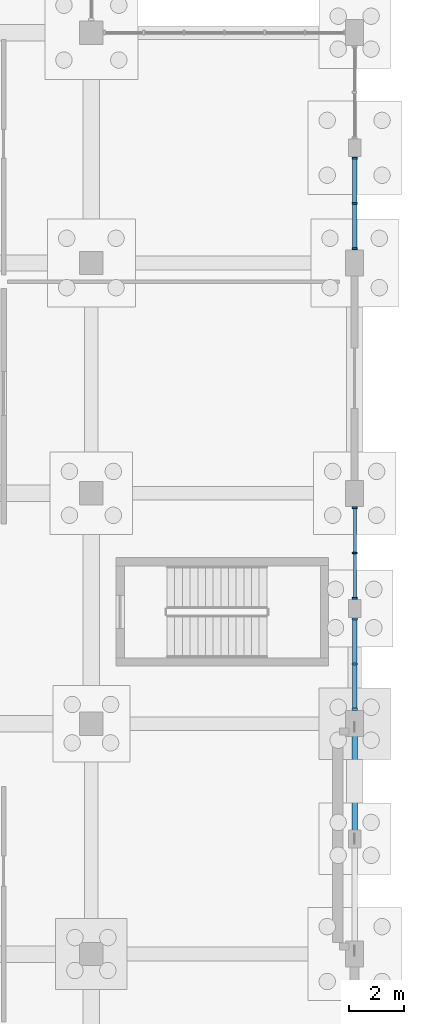
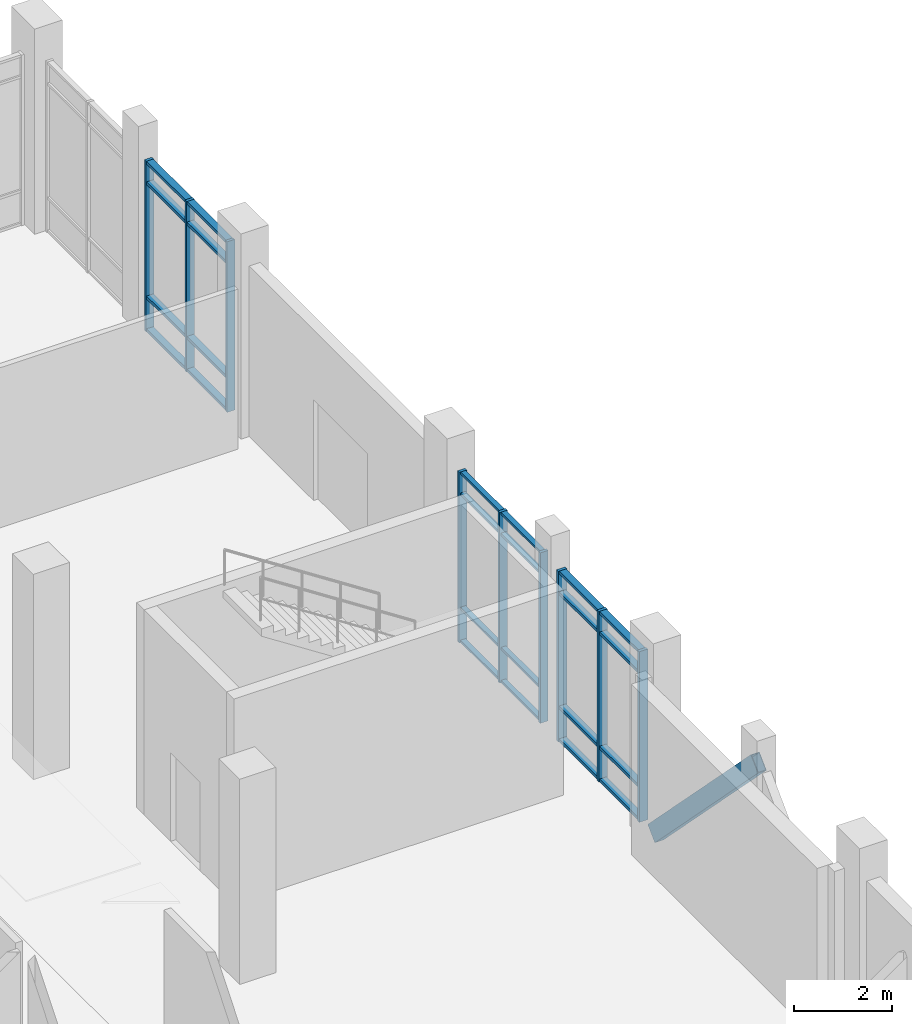
# One storey, part 58 of 136: 34 members, 3 elements without a shape of their own.
"""IFC4 building model written with IfcOpenShell, lengths in metres."""

from ifc_helpers import new_model, si_unit, direction, frame, origin, origin_2d, place, context, subcontext, project, spatial, rectangle, hollow_rectangle, extrude, material, material_profile, profile_set, type_object, element, aggregate, save


model = new_model("IFC4")

# Units and contexts
model_context = context("Model", 3, precision=1e-05, world=origin(), true_north=direction((0.0, 1.0)))
body_context = subcontext(model_context, "Body", "Model", "MODEL_VIEW")
ifc_project = project(units=[si_unit("LENGTHUNIT", "METRE"), si_unit("AREAUNIT", "SQUARE_METRE"), si_unit("VOLUMEUNIT", "CUBIC_METRE"), si_unit("PLANEANGLEUNIT", "RADIAN"), si_unit("MASSUNIT", "GRAM", prefix="KILO")], contexts=[model_context])

# Site, building, storey
site_placement = place(None, origin())
site = spatial("IfcSite", under=ifc_project, at=site_placement, CompositionType="ELEMENT")
building_placement = place(site_placement, origin())
building = spatial("IfcBuilding", under=site, at=building_placement, Name="Oolite Switchyard Hospital", CompositionType="ELEMENT")
storey_placement = place(building_placement, origin())
storey = spatial("IfcBuildingStorey", under=building, at=storey_placement, Name="L00", CompositionType="ELEMENT", Elevation=0.0)

# Curtain wall, members
ifc_material_1 = material(Name="Thermally broken aluminum frame with laminated impact glazing", Category="aluminium")
curtain_wall_type = type_object("IfcCurtainWallType", Name="CW-UNIT-84X51", PredefinedType="USERDEFINED", material=ifc_material_1)
curtain_wall_1_placement = place(storey_placement, origin())
curtain_wall_1 = element("IfcCurtainWall", 1, at=curtain_wall_1_placement, inside=storey, type_object=curtain_wall_type, Name="L00 Unitised Curtain Wall 88", ObjectType="UNITISED", PredefinedType="USERDEFINED")
ifc_material_2 = material(Name="Aluminium 6063-T6", Category="aluminium")
ifc_material_profile_1 = material_profile(ifc_material_2, rectangle(XDim=0.179931640625, YDim=0.070068359375, at=origin_2d()), Name="CWM70X180")
ifc_profile_set_1 = profile_set([ifc_material_profile_1], Name="Aluminium 6063-T6")
member_type_1 = type_object("IfcMemberType", Name="CW-MUL-220", PredefinedType="MULLION", material=ifc_profile_set_1)
member_1_placement = place(storey_placement, frame((211.199951171875, 49.875, 0.0), z_axis=(0.0, 0.0, 1.0), x_axis=(1.0, 0.0, 0.0)))
member_1 = element("IfcMember", 2, at=member_1_placement, type_object=member_type_1, Name="CW-06 mullion 1", PredefinedType="MULLION", context=body_context, shape_type="SweptSolid", body=[
    extrude(rectangle(XDim=0.179931640625, YDim=0.070068359375, at=origin_2d()), origin(), (0.0, 0.0, 1.0), 4.239990234375),
])
member_2_placement = place(storey_placement, frame((211.199951171875, 48.22509765625, 0.0), z_axis=(0.0, 0.0, 1.0), x_axis=(1.0, 0.0, 0.0)))
member_2 = element("IfcMember", 3, at=member_2_placement, type_object=member_type_1, Name="CW-06 mullion 2", PredefinedType="MULLION", context=body_context, shape_type="SweptSolid", body=[
    extrude(rectangle(XDim=0.179931640625, YDim=0.070068359375, at=origin_2d()), origin(), (0.0, 0.0, 1.0), 4.239990234375),
])
member_3_placement = place(storey_placement, frame((211.199951171875, 46.574951171875, 0.0), z_axis=(0.0, 0.0, 1.0), x_axis=(1.0, 0.0, 0.0)))
member_3 = element("IfcMember", 4, at=member_3_placement, type_object=member_type_1, Name="CW-06 mullion 3", PredefinedType="MULLION", context=body_context, shape_type="SweptSolid", body=[
    extrude(rectangle(XDim=0.179931640625, YDim=0.070068359375, at=origin_2d()), origin(), (0.0, 0.0, 1.0), 4.239990234375),
])

curtain_wall_2_placement = place(storey_placement, origin())
curtain_wall_2 = element("IfcCurtainWall", 5, at=curtain_wall_2_placement, inside=storey, type_object=curtain_wall_type, Name="L00 Unitised Curtain Wall 91", ObjectType="UNITISED", PredefinedType="USERDEFINED")
member_4_placement = place(storey_placement, frame((211.199951171875, 62.625, 0.0), z_axis=(0.0, 0.0, 1.0), x_axis=(1.0, 0.0, 0.0)))
member_4 = element("IfcMember", 6, at=member_4_placement, type_object=member_type_1, Name="CW-06 mullion 1", PredefinedType="MULLION", context=body_context, shape_type="SweptSolid", body=[
    extrude(rectangle(XDim=0.179931640625, YDim=0.070068359375, at=origin_2d()), origin(), (0.0, 0.0, 1.0), 4.239990234375),
])
member_5_placement = place(storey_placement, frame((211.199951171875, 60.97509765625, 0.0), z_axis=(0.0, 0.0, 1.0), x_axis=(1.0, 0.0, 0.0)))
member_5 = element("IfcMember", 7, at=member_5_placement, type_object=member_type_1, Name="CW-06 mullion 2", PredefinedType="MULLION", context=body_context, shape_type="SweptSolid", body=[
    extrude(rectangle(XDim=0.179931640625, YDim=0.070068359375, at=origin_2d()), origin(), (0.0, 0.0, 1.0), 4.239990234375),
])
member_6_placement = place(storey_placement, frame((211.199951171875, 59.324951171875, 0.0), z_axis=(0.0, 0.0, 1.0), x_axis=(1.0, 0.0, 0.0)))
member_6 = element("IfcMember", 8, at=member_6_placement, type_object=member_type_1, Name="CW-06 mullion 3", PredefinedType="MULLION", context=body_context, shape_type="SweptSolid", body=[
    extrude(rectangle(XDim=0.179931640625, YDim=0.070068359375, at=origin_2d()), origin(), (0.0, 0.0, 1.0), 4.239990234375),
])

curtain_wall_3_placement = place(storey_placement, origin())
curtain_wall_3 = element("IfcCurtainWall", 9, at=curtain_wall_3_placement, inside=storey, type_object=curtain_wall_type, Name="L00 Unitised Curtain Wall 89", ObjectType="UNITISED", PredefinedType="USERDEFINED")
ifc_material_profile_2 = material_profile(ifc_material_2, rectangle(XDim=0.199951171875, YDim=0.074951171875, at=origin_2d()), Name="CWM75X200")
ifc_profile_set_2 = profile_set([ifc_material_profile_2], Name="Aluminium 6063-T6")
member_type_2 = type_object("IfcMemberType", Name="CW-MUL-260", PredefinedType="MULLION", material=ifc_profile_set_2)
member_7_placement = place(storey_placement, frame((211.199951171875, 45.822509765625, 0.0), z_axis=(0.0, 0.0, 1.0), x_axis=(1.0, 0.0, 0.0)))
member_7 = element("IfcMember", 10, at=member_7_placement, type_object=member_type_2, Name="CW-06 mullion 1", PredefinedType="MULLION", context=body_context, shape_type="SweptSolid", body=[
    extrude(rectangle(XDim=0.199951171875, YDim=0.074951171875, at=origin_2d()), origin(), (0.0, 0.0, 1.0), 4.239990234375),
])
member_8_placement = place(storey_placement, frame((211.199951171875, 44.175048828125, 0.0), z_axis=(0.0, 0.0, 1.0), x_axis=(1.0, 0.0, 0.0)))
member_8 = element("IfcMember", 11, at=member_8_placement, type_object=member_type_2, Name="CW-06 mullion 2", PredefinedType="MULLION", context=body_context, shape_type="SweptSolid", body=[
    extrude(rectangle(XDim=0.199951171875, YDim=0.074951171875, at=origin_2d()), origin(), (0.0, 0.0, 1.0), 4.239990234375),
])
member_9_placement = place(storey_placement, frame((211.199951171875, 42.527587890625, 0.0), z_axis=(0.0, 0.0, 1.0), x_axis=(1.0, 0.0, 0.0)))
member_9 = element("IfcMember", 12, at=member_9_placement, type_object=member_type_2, Name="CW-06 mullion 3", PredefinedType="MULLION", context=body_context, shape_type="SweptSolid", body=[
    extrude(rectangle(XDim=0.199951171875, YDim=0.074951171875, at=origin_2d()), origin(), (0.0, 0.0, 1.0), 4.239990234375),
])

# Member
ifc_material_profile_3 = material_profile(ifc_material_2, rectangle(XDim=0.1201171875, YDim=0.06005859375, at=origin_2d()), Name="CWT60X120")
ifc_profile_set_3 = profile_set([ifc_material_profile_3], Name="Aluminium 6063-T6")
member_type_3 = type_object("IfcMemberType", Name="CW-TRN-150", PredefinedType="USERDEFINED", material=ifc_profile_set_3)
member_10_placement = place(storey_placement, frame((211.199951171875, 49.840087890625, 0.030029296875), z_axis=(0.0, -1.0, 0.0), x_axis=(1.0, 0.0, 0.0)))
member_10 = element("IfcMember", 13, at=member_10_placement, type_object=member_type_3, Name="CW-06 transom 1.1", ObjectType="TRANSOM", PredefinedType="USERDEFINED", context=body_context, shape_type="SweptSolid", body=[
    extrude(rectangle(XDim=0.1201171875, YDim=0.06005859375, at=origin_2d()), origin(), (0.0, 0.0, 1.0), 1.580078125),
])

member_11_placement = place(storey_placement, frame((211.199951171875, 49.840087890625, 0.85009765625), z_axis=(0.0, -1.0, 0.0), x_axis=(1.0, 0.0, 0.0)))
member_11 = element("IfcMember", 14, at=member_11_placement, type_object=member_type_3, Name="CW-06 transom 1.2", ObjectType="TRANSOM", PredefinedType="USERDEFINED", context=body_context, shape_type="SweptSolid", body=[
    extrude(rectangle(XDim=0.1201171875, YDim=0.06005859375, at=origin_2d()), origin(), (0.0, 0.0, 1.0), 1.580078125),
])

member_12_placement = place(storey_placement, frame((211.199951171875, 49.840087890625, 3.68994140625), z_axis=(0.0, -1.0, 0.0), x_axis=(1.0, 0.0, 0.0)))
member_12 = element("IfcMember", 15, at=member_12_placement, type_object=member_type_3, Name="CW-06 transom 1.3", ObjectType="TRANSOM", PredefinedType="USERDEFINED", context=body_context, shape_type="SweptSolid", body=[
    extrude(rectangle(XDim=0.1201171875, YDim=0.06005859375, at=origin_2d()), origin(), (0.0, 0.0, 1.0), 1.580078125),
])

member_13_placement = place(storey_placement, frame((211.199951171875, 49.840087890625, 4.2099609375), z_axis=(0.0, -1.0, 0.0), x_axis=(1.0, 0.0, 0.0)))
member_13 = element("IfcMember", 16, at=member_13_placement, type_object=member_type_3, Name="CW-06 transom 1.4", ObjectType="TRANSOM", PredefinedType="USERDEFINED", context=body_context, shape_type="SweptSolid", body=[
    extrude(rectangle(XDim=0.1201171875, YDim=0.06005859375, at=origin_2d()), origin(), (0.0, 0.0, 1.0), 1.580078125),
])

member_14_placement = place(storey_placement, frame((211.199951171875, 48.18994140625, 0.030029296875), z_axis=(0.0, -1.0, 0.0), x_axis=(1.0, 0.0, 0.0)))
member_14 = element("IfcMember", 17, at=member_14_placement, type_object=member_type_3, Name="CW-06 transom 2.1", ObjectType="TRANSOM", PredefinedType="USERDEFINED", context=body_context, shape_type="SweptSolid", body=[
    extrude(rectangle(XDim=0.1201171875, YDim=0.06005859375, at=origin_2d()), origin(), (0.0, 0.0, 1.0), 1.579833984375),
])

member_15_placement = place(storey_placement, frame((211.199951171875, 48.18994140625, 0.85009765625), z_axis=(0.0, -1.0, 0.0), x_axis=(1.0, 0.0, 0.0)))
member_15 = element("IfcMember", 18, at=member_15_placement, type_object=member_type_3, Name="CW-06 transom 2.2", ObjectType="TRANSOM", PredefinedType="USERDEFINED", context=body_context, shape_type="SweptSolid", body=[
    extrude(rectangle(XDim=0.1201171875, YDim=0.06005859375, at=origin_2d()), origin(), (0.0, 0.0, 1.0), 1.579833984375),
])

member_16_placement = place(storey_placement, frame((211.199951171875, 48.18994140625, 3.68994140625), z_axis=(0.0, -1.0, 0.0), x_axis=(1.0, 0.0, 0.0)))
member_16 = element("IfcMember", 19, at=member_16_placement, type_object=member_type_3, Name="CW-06 transom 2.3", ObjectType="TRANSOM", PredefinedType="USERDEFINED", context=body_context, shape_type="SweptSolid", body=[
    extrude(rectangle(XDim=0.1201171875, YDim=0.06005859375, at=origin_2d()), origin(), (0.0, 0.0, 1.0), 1.579833984375),
])

member_17_placement = place(storey_placement, frame((211.199951171875, 48.18994140625, 4.2099609375), z_axis=(0.0, -1.0, 0.0), x_axis=(1.0, 0.0, 0.0)))
member_17 = element("IfcMember", 20, at=member_17_placement, type_object=member_type_3, Name="CW-06 transom 2.4", ObjectType="TRANSOM", PredefinedType="USERDEFINED", context=body_context, shape_type="SweptSolid", body=[
    extrude(rectangle(XDim=0.1201171875, YDim=0.06005859375, at=origin_2d()), origin(), (0.0, 0.0, 1.0), 1.579833984375),
])

aggregate(curtain_wall_1, [member_1, member_2, member_3, member_10, member_11, member_12, member_13, member_14, member_15, member_16, member_17])

ifc_material_profile_4 = material_profile(ifc_material_2, rectangle(XDim=0.159912109375, YDim=0.074951171875, at=origin_2d()), Name="CWT75X160")
ifc_profile_set_4 = profile_set([ifc_material_profile_4], Name="Aluminium 6063-T6")
member_type_4 = type_object("IfcMemberType", Name="CW-TRN-180", PredefinedType="USERDEFINED", material=ifc_profile_set_4)
member_18_placement = place(storey_placement, frame((211.199951171875, 45.784912109375, 0.03759765625), z_axis=(0.0, -1.0, 0.0), x_axis=(1.0, 0.0, 0.0)))
member_18 = element("IfcMember", 21, at=member_18_placement, type_object=member_type_4, Name="CW-06 transom 1.1", ObjectType="TRANSOM", PredefinedType="USERDEFINED", context=body_context, shape_type="SweptSolid", body=[
    extrude(rectangle(XDim=0.159912109375, YDim=0.074951171875, at=origin_2d()), origin(), (0.0, 0.0, 1.0), 1.572509765625),
])

member_19_placement = place(storey_placement, frame((211.199951171875, 45.784912109375, 0.85009765625), z_axis=(0.0, -1.0, 0.0), x_axis=(1.0, 0.0, 0.0)))
member_19 = element("IfcMember", 22, at=member_19_placement, type_object=member_type_4, Name="CW-06 transom 1.2", ObjectType="TRANSOM", PredefinedType="USERDEFINED", context=body_context, shape_type="SweptSolid", body=[
    extrude(rectangle(XDim=0.159912109375, YDim=0.074951171875, at=origin_2d()), origin(), (0.0, 0.0, 1.0), 1.572509765625),
])

member_20_placement = place(storey_placement, frame((211.199951171875, 45.784912109375, 3.68994140625), z_axis=(0.0, -1.0, 0.0), x_axis=(1.0, 0.0, 0.0)))
member_20 = element("IfcMember", 23, at=member_20_placement, type_object=member_type_4, Name="CW-06 transom 1.3", ObjectType="TRANSOM", PredefinedType="USERDEFINED", context=body_context, shape_type="SweptSolid", body=[
    extrude(rectangle(XDim=0.159912109375, YDim=0.074951171875, at=origin_2d()), origin(), (0.0, 0.0, 1.0), 1.572509765625),
])

member_21_placement = place(storey_placement, frame((211.199951171875, 45.784912109375, 4.202392578125), z_axis=(0.0, -1.0, 0.0), x_axis=(1.0, 0.0, 0.0)))
member_21 = element("IfcMember", 24, at=member_21_placement, type_object=member_type_4, Name="CW-06 transom 1.4", ObjectType="TRANSOM", PredefinedType="USERDEFINED", context=body_context, shape_type="SweptSolid", body=[
    extrude(rectangle(XDim=0.159912109375, YDim=0.074951171875, at=origin_2d()), origin(), (0.0, 0.0, 1.0), 1.572509765625),
])

member_22_placement = place(storey_placement, frame((211.199951171875, 44.137451171875, 0.03759765625), z_axis=(0.0, -1.0, 0.0), x_axis=(1.0, 0.0, 0.0)))
member_22 = element("IfcMember", 25, at=member_22_placement, type_object=member_type_4, Name="CW-06 transom 2.1", ObjectType="TRANSOM", PredefinedType="USERDEFINED", context=body_context, shape_type="SweptSolid", body=[
    extrude(rectangle(XDim=0.159912109375, YDim=0.074951171875, at=origin_2d()), origin(), (0.0, 0.0, 1.0), 1.572509765625),
])

member_23_placement = place(storey_placement, frame((211.199951171875, 44.137451171875, 0.85009765625), z_axis=(0.0, -1.0, 0.0), x_axis=(1.0, 0.0, 0.0)))
member_23 = element("IfcMember", 26, at=member_23_placement, type_object=member_type_4, Name="CW-06 transom 2.2", ObjectType="TRANSOM", PredefinedType="USERDEFINED", context=body_context, shape_type="SweptSolid", body=[
    extrude(rectangle(XDim=0.159912109375, YDim=0.074951171875, at=origin_2d()), origin(), (0.0, 0.0, 1.0), 1.572509765625),
])

member_24_placement = place(storey_placement, frame((211.199951171875, 44.137451171875, 3.68994140625), z_axis=(0.0, -1.0, 0.0), x_axis=(1.0, 0.0, 0.0)))
member_24 = element("IfcMember", 27, at=member_24_placement, type_object=member_type_4, Name="CW-06 transom 2.3", ObjectType="TRANSOM", PredefinedType="USERDEFINED", context=body_context, shape_type="SweptSolid", body=[
    extrude(rectangle(XDim=0.159912109375, YDim=0.074951171875, at=origin_2d()), origin(), (0.0, 0.0, 1.0), 1.572509765625),
])

member_25_placement = place(storey_placement, frame((211.199951171875, 44.137451171875, 4.202392578125), z_axis=(0.0, -1.0, 0.0), x_axis=(1.0, 0.0, 0.0)))
member_25 = element("IfcMember", 28, at=member_25_placement, type_object=member_type_4, Name="CW-06 transom 2.4", ObjectType="TRANSOM", PredefinedType="USERDEFINED", context=body_context, shape_type="SweptSolid", body=[
    extrude(rectangle(XDim=0.159912109375, YDim=0.074951171875, at=origin_2d()), origin(), (0.0, 0.0, 1.0), 1.572509765625),
])

aggregate(curtain_wall_3, [member_7, member_8, member_9, member_18, member_19, member_20, member_21, member_22, member_23, member_24, member_25])

member_26_placement = place(storey_placement, frame((211.199951171875, 62.590087890625, 0.03759765625), z_axis=(0.0, -1.0, 0.0), x_axis=(1.0, 0.0, 0.0)))
member_26 = element("IfcMember", 29, at=member_26_placement, type_object=member_type_4, Name="CW-06 transom 1.1", ObjectType="TRANSOM", PredefinedType="USERDEFINED", context=body_context, shape_type="SweptSolid", body=[
    extrude(rectangle(XDim=0.159912109375, YDim=0.074951171875, at=origin_2d()), origin(), (0.0, 0.0, 1.0), 1.580078125),
])

member_27_placement = place(storey_placement, frame((211.199951171875, 62.590087890625, 0.85009765625), z_axis=(0.0, -1.0, 0.0), x_axis=(1.0, 0.0, 0.0)))
member_27 = element("IfcMember", 30, at=member_27_placement, type_object=member_type_4, Name="CW-06 transom 1.2", ObjectType="TRANSOM", PredefinedType="USERDEFINED", context=body_context, shape_type="SweptSolid", body=[
    extrude(rectangle(XDim=0.159912109375, YDim=0.074951171875, at=origin_2d()), origin(), (0.0, 0.0, 1.0), 1.580078125),
])

member_28_placement = place(storey_placement, frame((211.199951171875, 62.590087890625, 3.68994140625), z_axis=(0.0, -1.0, 0.0), x_axis=(1.0, 0.0, 0.0)))
member_28 = element("IfcMember", 31, at=member_28_placement, type_object=member_type_4, Name="CW-06 transom 1.3", ObjectType="TRANSOM", PredefinedType="USERDEFINED", context=body_context, shape_type="SweptSolid", body=[
    extrude(rectangle(XDim=0.159912109375, YDim=0.074951171875, at=origin_2d()), origin(), (0.0, 0.0, 1.0), 1.580078125),
])

member_29_placement = place(storey_placement, frame((211.199951171875, 62.590087890625, 4.202392578125), z_axis=(0.0, -1.0, 0.0), x_axis=(1.0, 0.0, 0.0)))
member_29 = element("IfcMember", 32, at=member_29_placement, type_object=member_type_4, Name="CW-06 transom 1.4", ObjectType="TRANSOM", PredefinedType="USERDEFINED", context=body_context, shape_type="SweptSolid", body=[
    extrude(rectangle(XDim=0.159912109375, YDim=0.074951171875, at=origin_2d()), origin(), (0.0, 0.0, 1.0), 1.580078125),
])

member_30_placement = place(storey_placement, frame((211.199951171875, 60.93994140625, 0.03759765625), z_axis=(0.0, -1.0, 0.0), x_axis=(1.0, 0.0, 0.0)))
member_30 = element("IfcMember", 33, at=member_30_placement, type_object=member_type_4, Name="CW-06 transom 2.1", ObjectType="TRANSOM", PredefinedType="USERDEFINED", context=body_context, shape_type="SweptSolid", body=[
    extrude(rectangle(XDim=0.159912109375, YDim=0.074951171875, at=origin_2d()), origin(), (0.0, 0.0, 1.0), 1.579833984375),
])

member_31_placement = place(storey_placement, frame((211.199951171875, 60.93994140625, 0.85009765625), z_axis=(0.0, -1.0, 0.0), x_axis=(1.0, 0.0, 0.0)))
member_31 = element("IfcMember", 34, at=member_31_placement, type_object=member_type_4, Name="CW-06 transom 2.2", ObjectType="TRANSOM", PredefinedType="USERDEFINED", context=body_context, shape_type="SweptSolid", body=[
    extrude(rectangle(XDim=0.159912109375, YDim=0.074951171875, at=origin_2d()), origin(), (0.0, 0.0, 1.0), 1.579833984375),
])

member_32_placement = place(storey_placement, frame((211.199951171875, 60.93994140625, 3.68994140625), z_axis=(0.0, -1.0, 0.0), x_axis=(1.0, 0.0, 0.0)))
member_32 = element("IfcMember", 35, at=member_32_placement, type_object=member_type_4, Name="CW-06 transom 2.3", ObjectType="TRANSOM", PredefinedType="USERDEFINED", context=body_context, shape_type="SweptSolid", body=[
    extrude(rectangle(XDim=0.159912109375, YDim=0.074951171875, at=origin_2d()), origin(), (0.0, 0.0, 1.0), 1.579833984375),
])

member_33_placement = place(storey_placement, frame((211.199951171875, 60.93994140625, 4.202392578125), z_axis=(0.0, -1.0, 0.0), x_axis=(1.0, 0.0, 0.0)))
member_33 = element("IfcMember", 36, at=member_33_placement, type_object=member_type_4, Name="CW-06 transom 2.4", ObjectType="TRANSOM", PredefinedType="USERDEFINED", context=body_context, shape_type="SweptSolid", body=[
    extrude(rectangle(XDim=0.159912109375, YDim=0.074951171875, at=origin_2d()), origin(), (0.0, 0.0, 1.0), 1.579833984375),
])

aggregate(curtain_wall_2, [member_4, member_5, member_6, member_26, member_27, member_28, member_29, member_30, member_31, member_32, member_33])

ifc_material_3 = material(Name="Steel ASTM A500 Grade C", Category="steel")
ifc_material_profile_5 = material_profile(ifc_material_3, hollow_rectangle(XDim=0.202880859375, YDim=0.406005859375, WallThickness=0.012939453125, at=origin_2d()), Name="HSS406X203X13")
ifc_profile_set_5 = profile_set([ifc_material_profile_5], Name="Steel ASTM A500 Grade C")
member_type_5 = type_object("IfcMemberType", Name="MEM-BR-RHS406", PredefinedType="BRACE", material=ifc_profile_set_5)
member_34_placement = place(storey_placement, frame((211.199951171875, 42.0, 0.02001953125), z_axis=(0.0, -0.700398204698, 0.713752306375), x_axis=(1.0, 0.0, 0.0)))
element("IfcMember", 37, at=member_34_placement, inside=storey, type_object=member_type_5, Name="L00 Chevron Brace 72", PredefinedType="BRACE", context=body_context, shape_type="SweptSolid", body=[
    extrude(hollow_rectangle(XDim=0.202880859375, YDim=0.406005859375, WallThickness=0.012939453125, at=origin_2d()), origin(), (0.0, 0.0, 1.0), 5.99658203125),
])

save(model, "model.ifc")
